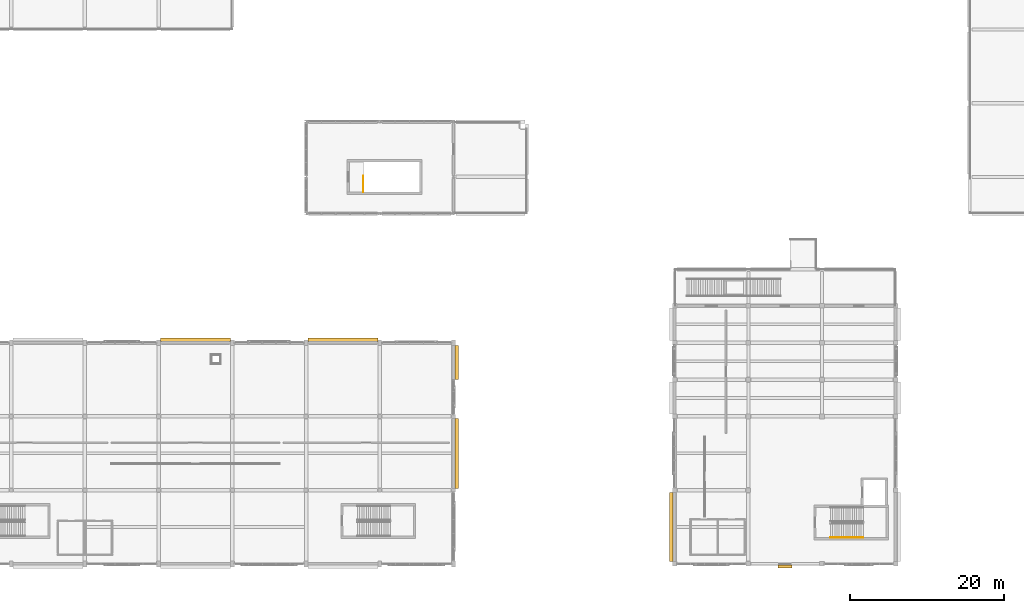
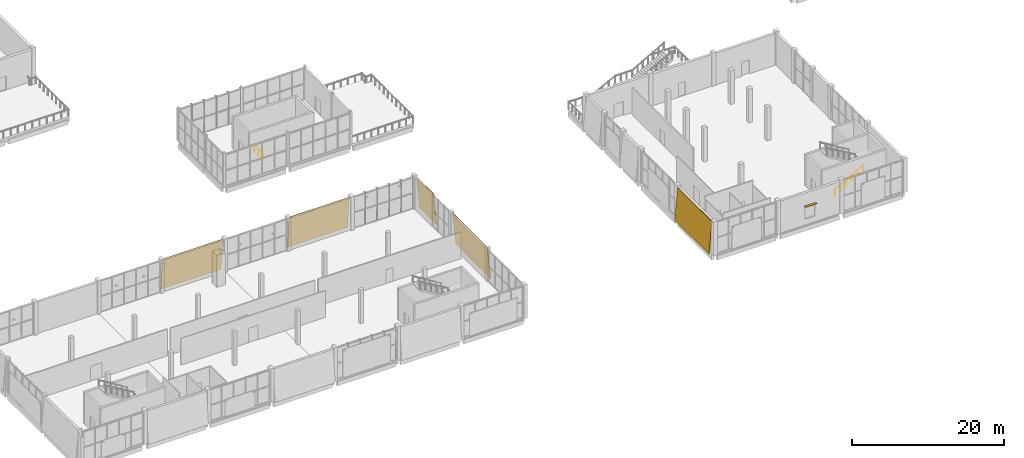
# One storey, part 70 of 83: 5 coverings, 2 railings, 1 shading device.
"""IFC4 building model written with IfcOpenShell, lengths in metres."""

from ifc_helpers import new_model, si_unit, direction, frame, origin, origin_2d, place, context, subcontext, project, spatial, polyline, rectangle, circle, outline, extrude, material, layer, layer_set, type_object, element, save


model = new_model("IFC4")

# Units and contexts
model_context = context("Model", 3, precision=1e-05, world=origin(), true_north=direction((0.0, 1.0)))
body_context = subcontext(model_context, "Body", "Model", "MODEL_VIEW")
ifc_project = project(units=[si_unit("LENGTHUNIT", "METRE"), si_unit("AREAUNIT", "SQUARE_METRE"), si_unit("VOLUMEUNIT", "CUBIC_METRE"), si_unit("PLANEANGLEUNIT", "RADIAN"), si_unit("MASSUNIT", "GRAM", prefix="KILO")], contexts=[model_context])

# Site, building, storey
site_placement = place(None, origin())
site = spatial("IfcSite", under=ifc_project, at=site_placement, CompositionType="ELEMENT")
building_placement = place(site_placement, origin())
building = spatial("IfcBuilding", under=site, at=building_placement, Name="Shalvenor Court Art Gallery", CompositionType="ELEMENT")
storey_placement = place(building_placement, frame((0.0, 0.0, 6.0)))
storey = spatial("IfcBuildingStorey", under=building, at=storey_placement, Name="L01", CompositionType="ELEMENT", Elevation=6.0)

# Coverings
ifc_material_1 = material(Name="Pale Mediterranean limestone cladding", Category="masonry")
ifc_layer_1 = layer(ifc_material_1, 0.080078125, Name="Pale Mediterranean limestone cladding")
ifc_layer_set_1 = layer_set([ifc_layer_1], Name="Pale Mediterranean limestone cladding")
covering_type_1 = type_object("IfcCoveringType", Name="CLD-01", PredefinedType="CLADDING", material=ifc_layer_set_1)
covering_1_placement = place(storey_placement, frame((95.34765625, 9.300048828125, 0.0), z_axis=(0.0, 0.0, 1.0), x_axis=(0.0, -1.0, 0.0)))
element("IfcCovering", 1, at=covering_1_placement, inside=storey, type_object=covering_type_1, Name="L01 V3 Tapered Limestone Cladding 49", PredefinedType="CLADDING", context=body_context, shape_type="SweptSolid", body=[
    extrude(outline(polyline([(0.0, 0.0), (9.0, 0.0), (9.0, 5.10107421875), (0.0, 5.10107421875), (0.0, 0.0)])), frame((0.0, 0.0, 0.0), z_axis=(0.0, -0.995884398616, 0.090632580198), x_axis=(1.0, 0.0, 0.0)), (0.0, 0.090632580198, -0.995884398616), 0.080322265625),
])
ifc_material_2 = material(Name="Honed Jerusalem limestone cladding", Category="masonry")
ifc_layer_2 = layer(ifc_material_2, 0.06494140625, Name="Honed Jerusalem limestone cladding")
ifc_layer_set_2 = layer_set([ifc_layer_2], Name="Honed Jerusalem limestone cladding")
covering_type_2 = type_object("IfcCoveringType", Name="CLD-02", PredefinedType="CLADDING", material=ifc_layer_set_2)
covering_2_placement = place(storey_placement, frame((38.14990234375, 29.432373046875, 0.0), z_axis=(0.0, 0.0, 1.0), x_axis=(-1.0, 0.0, 0.0)))
element("IfcCovering", 2, at=covering_2_placement, inside=storey, type_object=covering_type_2, Name="L01 V4 Tapered Limestone Cladding 72", PredefinedType="CLADDING", context=body_context, shape_type="SweptSolid", body=[
    extrude(outline(polyline([(0.0, 0.0), (9.099853515625, 0.0), (9.099853515625, 5.10107421875), (0.0, 5.10107421875), (0.0, 0.0)])), frame((0.0, 0.0, 0.0), z_axis=(0.0, -0.995884398616, 0.090632580198), x_axis=(1.0, 0.0, 0.0)), (0.0, 0.090632580198, -0.995884398616), 0.080322265625),
])
covering_3_placement = place(storey_placement, frame((57.35009765625, 29.432373046875, 0.0), z_axis=(0.0, 0.0, 1.0), x_axis=(-1.0, 0.0, 0.0)))
element("IfcCovering", 3, at=covering_3_placement, inside=storey, type_object=covering_type_2, Name="L01 V4 Tapered Limestone Cladding 73", PredefinedType="CLADDING", context=body_context, shape_type="SweptSolid", body=[
    extrude(outline(polyline([(0.0, 0.0), (9.10009765625, 0.0), (9.10009765625, 5.10107421875), (0.0, 5.10107421875), (0.0, 0.0)])), frame((0.0, 0.0, 0.0), z_axis=(0.0, -0.995884398616, 0.090632580198), x_axis=(1.0, 0.0, 0.0)), (0.0, 0.090632580198, -0.995884398616), 0.080322265625),
])
covering_4_placement = place(storey_placement, frame((67.832275390625, 24.0, 0.0), z_axis=(0.0, 0.0, 1.0), x_axis=(0.0, 1.0, 0.0)))
element("IfcCovering", 4, at=covering_4_placement, inside=storey, type_object=covering_type_2, Name="L01 V4 Tapered Limestone Cladding 74", PredefinedType="CLADDING", context=body_context, shape_type="SweptSolid", body=[
    extrude(outline(polyline([(0.0, 0.0), (4.425048828125, 0.0), (4.425048828125, 5.10107421875), (0.0, 5.10107421875), (0.0, 0.0)])), frame((0.0, 0.0, 0.0), z_axis=(0.0, -0.995884398616, 0.090632580198), x_axis=(1.0, 0.0, 0.0)), (0.0, 0.090632580198, -0.995884398616), 0.080322265625),
])
covering_5_placement = place(storey_placement, frame((67.832275390625, 9.85009765625, 0.0), z_axis=(0.0, 0.0, 1.0), x_axis=(0.0, 1.0, 0.0)))
element("IfcCovering", 5, at=covering_5_placement, inside=storey, type_object=covering_type_2, Name="L01 V4 Tapered Limestone Cladding 75", PredefinedType="CLADDING", context=body_context, shape_type="SweptSolid", body=[
    extrude(outline(polyline([(0.0, 0.0), (9.099853515625, 0.0), (9.099853515625, 5.10107421875), (0.0, 5.10107421875), (0.0, 0.0)])), frame((0.0, 0.0, 0.0), z_axis=(0.0, -0.995884398616, 0.090632580198), x_axis=(1.0, 0.0, 0.0)), (0.0, 0.090632580198, -0.995884398616), 0.080322265625),
])

# Railings
ifc_material_3 = material(Name="Painted steel post-and-rail guard", Category="steel")
railing_type_1 = type_object("IfcRailingType", Name="GR-02", PredefinedType="GUARDRAIL", material=ifc_material_3)
railing_1_placement = place(storey_placement, frame((55.449951171875, 48.39990234375, 0.0)))
element("IfcRailing", 6, at=railing_1_placement, inside=storey, type_object=railing_type_1, Name="L01 ST-10 Top Well Guard 1", PredefinedType="GUARDRAIL", context=body_context, shape_type="SweptSolid", body=[
    extrude(circle(Radius=0.02392578125, at=origin_2d()), frame((0.0, 0.0, 1.09619140625), z_axis=(0.0, 1.0, 0.0), x_axis=(-1.0, 0.0, 0.0)), (0.0, 0.0, 1.0), 2.10009765625),
    extrude(circle(Radius=0.02099609375, at=origin_2d()), origin(), (0.0, 0.0, 1.0), 1.072021484375),
    extrude(circle(Radius=0.02099609375, at=origin_2d()), frame((0.0, 1.050048828125, 0.0)), (0.0, 0.0, 1.0), 1.072021484375),
    extrude(circle(Radius=0.02099609375, at=origin_2d()), frame((0.0, 2.10009765625, 0.0)), (0.0, 0.0, 1.0), 1.072021484375),
])
ifc_material_4 = material(Name="Brushed stainless steel handrail", Category="steel")
railing_type_2 = type_object("IfcRailingType", Name="HR-01", PredefinedType="HANDRAIL", material=ifc_material_4)
railing_2_placement = place(storey_placement, frame((116.300048828125, 3.449951171875, 0.168701171875)))
element("IfcRailing", 7, at=railing_2_placement, inside=storey, type_object=railing_type_2, Name="L01 ST-04 Stair Handrail 1", PredefinedType="HANDRAIL", context=body_context, shape_type="SweptSolid", body=[
    extrude(circle(Radius=0.02392578125, at=origin_2d()), frame((0.0, 0.0, 0.8759765625), z_axis=(0.860470286479, 0.0, 0.509500624227), x_axis=(0.0, 1.0, 0.0)), (0.0, 0.0, 1.0), 4.968017578125),
    extrude(circle(Radius=0.02099609375, at=origin_2d()), origin(), (0.0, 0.0, 1.0), 0.851806640625),
    extrude(circle(Radius=0.02099609375, at=origin_2d()), frame((0.85498046875, 0.0, 0.50634765625)), (0.0, 0.0, 1.0), 0.851806640625),
    extrude(circle(Radius=0.02099609375, at=origin_2d()), frame((1.7099609375, 0.0, 1.012451171875)), (0.0, 0.0, 1.0), 0.851806640625),
    extrude(circle(Radius=0.02099609375, at=origin_2d()), frame((2.56494140625, 0.0, 1.518798828125)), (0.0, 0.0, 1.0), 0.851806640625),
    extrude(circle(Radius=0.02099609375, at=origin_2d()), frame((3.419921875, 0.0, 2.02490234375)), (0.0, 0.0, 1.0), 0.851806640625),
    extrude(circle(Radius=0.02099609375, at=origin_2d()), frame((4.27490234375, 0.0, 2.53125)), (0.0, 0.0, 1.0), 0.851806640625),
])

# Shading device
ifc_material_5 = material(Name="Dark anodised bronze aluminium louvre", Category="aluminium")
shading_device_type = type_object("IfcShadingDeviceType", Name="SHD-01", PredefinedType="JALOUSIE", material=ifc_material_5)
shading_device_placement = place(storey_placement, frame((110.39990234375, -0.35009765625, 3.0), z_axis=(0.0, 0.0, 1.0), x_axis=(-1.0, 0.0, 0.0)))
element("IfcShadingDevice", 8, at=shading_device_placement, inside=storey, type_object=shading_device_type, Name="L01 Koushi Window Sunshade 51", PredefinedType="JALOUSIE", context=body_context, shape_type="SweptSolid", body=[
    extrude(rectangle(XDim=1.800048828125, YDim=0.360107421875, at=origin_2d()), origin(), (0.0, 0.0, 1.0), 0.080078125),
])

save(model, "model.ifc")
